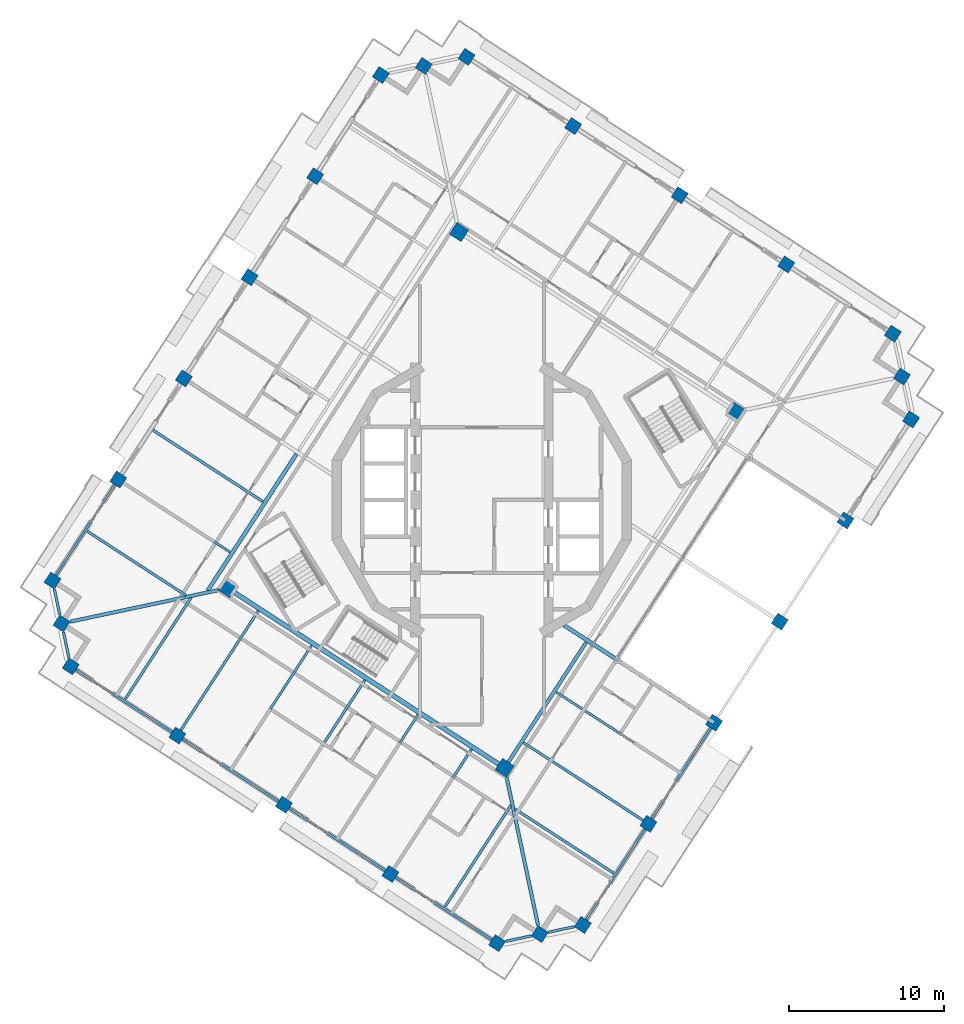
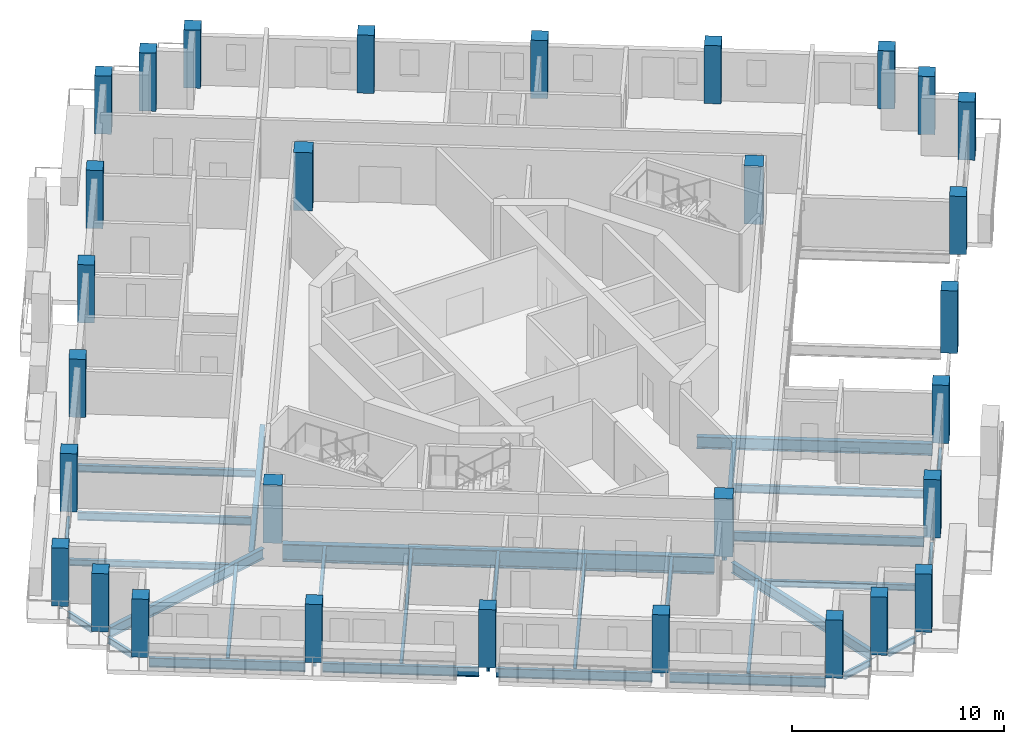
# One storey, part 1 of 17: 30 beams, 30 columns.
"""IFC4 building model written with IfcOpenShell, lengths in metres."""

from ifc_helpers import new_model, si_unit, direction, frame, origin, origin_2d, place, context, subcontext, project, spatial, rectangle, i_section, extrude, material, material_profile, profile_set, type_object, element, save


model = new_model("IFC4")

# Units and contexts
model_context = context("Model", 3, precision=1e-05, world=origin(), true_north=direction((0.0, 1.0)))
body_context = subcontext(model_context, "Body", "Model", "MODEL_VIEW")
ifc_project = project(units=[si_unit("LENGTHUNIT", "METRE"), si_unit("AREAUNIT", "SQUARE_METRE"), si_unit("VOLUMEUNIT", "CUBIC_METRE"), si_unit("PLANEANGLEUNIT", "RADIAN"), si_unit("MASSUNIT", "GRAM", prefix="KILO")], contexts=[model_context])

# Site, building, storey
site_placement = place(None, origin())
site = spatial("IfcSite", under=ifc_project, at=site_placement, CompositionType="ELEMENT")
building_placement = place(site_placement, origin())
building = spatial("IfcBuilding", under=site, at=building_placement, Name="Cantera Rosa Tower", CompositionType="ELEMENT")
storey_placement = place(building_placement, frame((0.0, 0.0, 268.5)))
storey = spatial("IfcBuildingStorey", under=building, at=storey_placement, Name="L60", CompositionType="ELEMENT", Elevation=268.5)

# Columns
ifc_material_1 = material(Name="Concrete C50/60", Category="concrete")
ifc_material_profile_1 = material_profile(ifc_material_1, rectangle(XDim=0.800048828125, YDim=0.800048828125, at=origin_2d()), Name="RC COLUMN RC800X800 C50/60")
ifc_profile_set_1 = profile_set([ifc_material_profile_1], Name="Concrete C50/60")
column_type_1 = type_object("IfcColumnType", Name="RC COLUMN RC800X800 C50/60", PredefinedType="COLUMN", material=ifc_profile_set_1)
for number, where, z_axis, x_axis, name in (
    (1, (26.52587890625, 10.73486328125, 0.0), (0.0, 0.0, 1.0), (0.544639035015, 0.838670567945, 0.0), "C-Z5-01 L60"),
    (2, (19.64892578125, 15.20068359375, 0.0), (0.0, 0.0, 1.0), (0.544639035015, 0.838670567945, 0.0), "C-Z5-02 L60"),
    (3, (12.771728515625, 19.666748046875, 0.0), (0.0, 0.0, 1.0), (0.544639035015, 0.838670567945, 0.0), "C-Z5-03 L60"),
    (4, (5.894775390625, 24.1328125, 0.0), (0.0, 0.0, 1.0), (0.544639035015, 0.838670567945, 0.0), "C-Z5-04 L60"),
    (5, (-0.982421875, 28.598876953125, 0.0), (0.0, 0.0, 1.0), (0.544639035015, 0.838670567945, 0.0), "C-Z5-05 L60"),
    (6, (-3.7490234375, 28.0107421875, 0.0), (0.0, 0.0, 1.0), (0.544639035015, 0.838670567945, 0.0), "C-Z5-06 L60"),
    (7, (-6.515625, 27.4228515625, 0.0), (0.0, 0.0, 1.0), (0.544639035015, 0.838670567945, 0.0), "C-Z5-07 L60"),
    (8, (-10.7529296875, 20.89794921875, 0.0), (0.0, 0.0, 1.0), (0.544639035015, 0.838670567945, 0.0), "C-Z5-08 L60"),
    (9, (-14.990234375, 14.373046875, 0.0), (0.0, 0.0, 1.0), (0.544639035015, 0.838670567945, 0.0), "C-Z5-09 L60"),
    (10, (-19.2275390625, 7.84814453125, 0.0), (0.0, 0.0, 1.0), (0.544639035015, 0.838670567945, 0.0), "C-Z5-10 L60"),
    (11, (-23.46484375, 1.3232421875, 0.0), (0.0, 0.0, 1.0), (0.544639035015, 0.838670567945, 0.0), "C-Z5-11 L60"),
    (12, (-27.7021484375, -5.201416015625, 0.0), (0.0, 0.0, 1.0), (0.544639035015, 0.838670567945, 0.0), "C-Z5-12 L60"),
    (13, (-27.114013671875, -7.968017578125, 0.0), (0.0, 0.0, 1.0), (0.544639035015, 0.838670567945, 0.0), "C-Z5-13 L60"),
    (14, (-26.52587890625, -10.73486328125, 0.0), (0.0, 0.0, 1.0), (0.544639035015, 0.838670567945, 0.0), "C-Z5-14 L60"),
    (15, (-19.64892578125, -15.20068359375, 0.0), (0.0, 0.0, 1.0), (0.544639035015, 0.838670567945, 0.0), "C-Z5-15 L60"),
    (16, (-12.771728515625, -19.666748046875, 0.0), (0.0, 0.0, 1.0), (0.544639035015, 0.838670567945, 0.0), "C-Z5-16 L60"),
    (17, (-5.894775390625, -24.1328125, 0.0), (0.0, 0.0, 1.0), (0.544639035015, 0.838670567945, 0.0), "C-Z5-17 L60"),
    (18, (0.982421875, -28.598876953125, 0.0), (0.0, 0.0, 1.0), (0.544639035015, 0.838670567945, 0.0), "C-Z5-18 L60"),
    (19, (3.7490234375, -28.0107421875, 0.0), (0.0, 0.0, 1.0), (0.544639035015, 0.838670567945, 0.0), "C-Z5-19 L60"),
    (20, (6.515625, -27.4228515625, 0.0), (0.0, 0.0, 1.0), (0.544639035015, 0.838670567945, 0.0), "C-Z5-20 L60"),
    (21, (10.7529296875, -20.89794921875, 0.0), (0.0, 0.0, 1.0), (0.544639035015, 0.838670567945, 0.0), "C-Z5-21 L60"),
    (22, (14.990234375, -14.373046875, 0.0), (0.0, 0.0, 1.0), (0.544639035015, 0.838670567945, 0.0), "C-Z5-22 L60"),
):
    element("IfcColumn", number, at=place(storey_placement, frame(where, z_axis=z_axis, x_axis=x_axis)), inside=storey, type_object=column_type_1, Name=name, PredefinedType="COLUMN", context=body_context, shape_type="SweptSolid", body=[
        extrude(rectangle(XDim=0.800048828125, YDim=0.800048828125, at=origin_2d()), origin(), (0.0, 0.0, 1.0), 3.35009765625),
    ])
column_placement = place(storey_placement, frame((19.2275390625, -7.84814453125, -0.25), z_axis=(0.0, 0.0, 1.0), x_axis=(0.544639035015, 0.838670567945, 0.0)))
element("IfcColumn", 23, at=column_placement, inside=storey, type_object=column_type_1, Name="C-Z5-23 L60", PredefinedType="COLUMN", context=body_context, shape_type="SweptSolid", body=[
    extrude(rectangle(XDim=0.800048828125, YDim=0.800048828125, at=origin_2d()), origin(), (0.0, 0.0, 1.0), 3.60009765625),
])
for number, where, z_axis, x_axis, name in (
    (24, (23.46484375, -1.3232421875, 0.0), (0.0, 0.0, 1.0), (0.544639035015, 0.838670567945, 0.0), "C-Z5-24 L60"),
    (25, (27.7021484375, 5.201416015625, 0.0), (0.0, 0.0, 1.0), (0.544639035015, 0.838670567945, 0.0), "C-Z5-25 L60"),
    (26, (27.114013671875, 7.968017578125, 0.0), (0.0, 0.0, 1.0), (0.544639035015, 0.838670567945, 0.0), "C-Z5-26 L60"),
):
    element("IfcColumn", number, at=place(storey_placement, frame(where, z_axis=z_axis, x_axis=x_axis)), inside=storey, type_object=column_type_1, Name=name, PredefinedType="COLUMN", context=body_context, shape_type="SweptSolid", body=[
        extrude(rectangle(XDim=0.800048828125, YDim=0.800048828125, at=origin_2d()), origin(), (0.0, 0.0, 1.0), 3.35009765625),
    ])
ifc_material_2 = material(Name="Concrete C50/60", Category="concrete")
ifc_material_profile_2 = material_profile(ifc_material_2, rectangle(XDim=0.89990234375, YDim=0.89990234375, at=origin_2d()), Name="RC RING COLUMN RC900X900 C50/60")
ifc_profile_set_2 = profile_set([ifc_material_profile_2], Name="Concrete C50/60")
column_type_2 = type_object("IfcColumnType", Name="RC RING COLUMN RC900X900 C50/60", PredefinedType="COLUMN", material=ifc_profile_set_2)
for number, where, z_axis, x_axis, name in (
    (27, (-1.47021484375, 17.290283203125, 0.0), (0.0, 0.0, 1.0), (0.544639035015, 0.838670567945, 0.0), "CI-Z5-1 L60"),
    (28, (-16.393310546875, -5.689453125, 0.0), (0.0, 0.0, 1.0), (0.544639035015, 0.838670567945, 0.0), "CI-Z5-2 L60"),
    (29, (1.47021484375, -17.290283203125, 0.0), (0.0, 0.0, 1.0), (0.544639035015, 0.838670567945, 0.0), "CI-Z5-3 L60"),
    (30, (16.393310546875, 5.689453125, 0.0), (0.0, 0.0, 1.0), (0.544639035015, 0.838670567945, 0.0), "CI-Z5-4 L60"),
):
    element("IfcColumn", number, at=place(storey_placement, frame(where, z_axis=z_axis, x_axis=x_axis)), inside=storey, type_object=column_type_2, Name=name, PredefinedType="COLUMN", context=body_context, shape_type="SweptSolid", body=[
        extrude(rectangle(XDim=0.89990234375, YDim=0.89990234375, at=origin_2d()), origin(), (0.0, 0.0, 1.0), 3.35009765625),
    ])

# Beams
ifc_material_3 = material(Name="Steel ASTM A992 (Fy 345 MPa)", Category="steel")
ifc_material_profile_3 = material_profile(ifc_material_3, i_section(OverallWidth=0.302001953125, OverallDepth=1.010009765625, WebThickness=0.02099609375, FlangeThickness=0.0400390625, FilletRadius=0.030029296875, at=origin_2d()), Name="W1000X350")
ifc_profile_set_3 = profile_set([ifc_material_profile_3], Name="Steel ASTM A992 (Fy 345 MPa)")
beam_type_1 = type_object("IfcBeamType", Name="STEEL BEAM W1000X350", PredefinedType="BEAM", material=ifc_profile_set_3)
beam_1_placement = place(storey_placement, frame((1.0927734375, -17.045166015625, -0.7548828125), z_axis=(-0.838671580977, 0.54463747508, 0.0), x_axis=(-0.54463747508, -0.838671580977, 0.0)))
element("IfcBeam", 31, at=beam_1_placement, inside=storey, type_object=beam_type_1, Name="RB-Z5-09 L60", PredefinedType="BEAM", context=body_context, shape_type="SweptSolid", body=[
    extrude(i_section(OverallWidth=0.302001953125, OverallDepth=1.010009765625, WebThickness=0.02099609375, FlangeThickness=0.0400390625, FilletRadius=0.030029296875, at=origin_2d()), origin(), (0.0, 0.0, 1.0), 20.39990234375),
])
ifc_material_4 = material(Name="Steel ASTM A992 (Fy 345 MPa)", Category="steel")
ifc_material_profile_4 = material_profile(ifc_material_4, i_section(OverallWidth=0.154052734375, OverallDepth=0.4599609375, WebThickness=0.009033203125, FlangeThickness=0.015380859375, FilletRadius=0.01025390625, at=origin_2d()), Name="W460X68")
ifc_profile_set_4 = profile_set([ifc_material_profile_4], Name="Steel ASTM A992 (Fy 345 MPa)")
beam_type_2 = type_object("IfcBeamType", Name="STEEL BEAM W460X68", PredefinedType="BEAM", material=ifc_profile_set_4)
beam_2_placement = place(storey_placement, frame((-23.12939453125, 1.10546875, -0.47998046875), z_axis=(0.838672777751, -0.544635632198, 0.0), x_axis=(0.544635632198, 0.838672777751, 0.0)))
element("IfcBeam", 32, at=beam_2_placement, inside=storey, type_object=beam_type_2, Name="G-Z5-07 L60", PredefinedType="BEAM", context=body_context, shape_type="SweptSolid", body=[
    extrude(i_section(OverallWidth=0.154052734375, OverallDepth=0.4599609375, WebThickness=0.009033203125, FlangeThickness=0.015380859375, FilletRadius=0.01025390625, at=origin_2d()), origin(), (0.0, 0.0, 1.0), 8.2001953125),
])
ifc_material_5 = material(Name="Steel ASTM A992 (Fy 345 MPa)", Category="steel")
ifc_material_profile_5 = material_profile(ifc_material_5, i_section(OverallWidth=0.166015625, OverallDepth=0.528076171875, WebThickness=0.009765625, FlangeThickness=0.013671875, FilletRadius=0.0126953125, at=origin_2d()), Name="W530X74")
ifc_profile_set_5 = profile_set([ifc_material_profile_5], Name="Steel ASTM A992 (Fy 345 MPa)")
beam_type_3 = type_object("IfcBeamType", Name="STEEL BEAM W530X74", PredefinedType="BEAM", material=ifc_profile_set_5)
beam_3_placement = place(storey_placement, frame((10.41748046875, -20.68017578125, -0.513916015625), z_axis=(-0.838669083999, 0.544641320086, 0.0), x_axis=(-0.544641320086, -0.838669083999, 0.0)))
element("IfcBeam", 33, at=beam_3_placement, inside=storey, type_object=beam_type_3, Name="G-Z5-08 L60", PredefinedType="BEAM", context=body_context, shape_type="SweptSolid", body=[
    extrude(i_section(OverallWidth=0.166015625, OverallDepth=0.528076171875, WebThickness=0.009765625, FlangeThickness=0.013671875, FilletRadius=0.0126953125, at=origin_2d()), origin(), (0.0, 0.0, 1.0), 9.2001953125),
])
beam_4_placement = place(storey_placement, frame((-19.430908203125, -14.865234375, -0.513916015625), z_axis=(0.544634776066, 0.838673333724, 0.0), x_axis=(-0.838673333724, 0.544634776066, 0.0)))
element("IfcBeam", 34, at=beam_4_placement, inside=storey, type_object=beam_type_3, Name="G-Z5-12 L60", PredefinedType="BEAM", context=body_context, shape_type="SweptSolid", body=[
    extrude(i_section(OverallWidth=0.166015625, OverallDepth=0.528076171875, WebThickness=0.009765625, FlangeThickness=0.013671875, FilletRadius=0.0126953125, at=origin_2d()), origin(), (0.0, 0.0, 1.0), 9.19970703125),
])
beam_5_placement = place(storey_placement, frame((-12.553955078125, -19.331298828125, -0.513916015625), z_axis=(0.544641320086, 0.838669083999, 0.0), x_axis=(-0.838669083999, 0.544641320086, 0.0)))
element("IfcBeam", 35, at=beam_5_placement, inside=storey, type_object=beam_type_3, Name="G-Z5-13 L60", PredefinedType="BEAM", context=body_context, shape_type="SweptSolid", body=[
    extrude(i_section(OverallWidth=0.166015625, OverallDepth=0.528076171875, WebThickness=0.009765625, FlangeThickness=0.013671875, FilletRadius=0.0126953125, at=origin_2d()), origin(), (0.0, 0.0, 1.0), 9.2001953125),
])
beam_6_placement = place(storey_placement, frame((-5.6767578125, -23.79736328125, -0.513916015625), z_axis=(0.544622654601, 0.838681205283, 0.0), x_axis=(-0.838681205283, 0.544622654601, 0.0)))
element("IfcBeam", 36, at=beam_6_placement, inside=storey, type_object=beam_type_3, Name="G-Z5-14 L60", PredefinedType="BEAM", context=body_context, shape_type="SweptSolid", body=[
    extrude(i_section(OverallWidth=0.166015625, OverallDepth=0.528076171875, WebThickness=0.009765625, FlangeThickness=0.013671875, FilletRadius=0.0126953125, at=origin_2d()), origin(), (0.0, 0.0, 1.0), 9.199951171875),
])
ifc_material_6 = material(Name="Steel ASTM A992 (Fy 345 MPa)", Category="steel")
ifc_material_profile_6 = material_profile(ifc_material_6, i_section(OverallWidth=0.22802734375, OverallDepth=0.60205078125, WebThickness=0.010498046875, FlangeThickness=0.014892578125, FilletRadius=0.0126953125, at=origin_2d()), Name="W610X101")
ifc_profile_set_6 = profile_set([ifc_material_profile_6], Name="Steel ASTM A992 (Fy 345 MPa)")
beam_type_4 = type_object("IfcBeamType", Name="STEEL BEAM W610X101", PredefinedType="BEAM", material=ifc_profile_set_6)
for number, where, z_axis, x_axis, name in (
    (37, (-26.560791015625, -7.8505859375, -0.551025390625), (0.978148167214, 0.20790902572, 0.0), (-0.20790902572, 0.978148167214, 0.0), "CB-Z5-02 L60"),
    (38, (3.63134765625, -27.45751953125, -0.551025390625), (-0.20790902572, 0.978148167214, 0.0), (-0.978148167214, -0.20790902572, 0.0), "CB-Z5-03 L60"),
):
    element("IfcBeam", number, at=place(storey_placement, frame(where, z_axis=z_axis, x_axis=x_axis)), inside=storey, type_object=beam_type_4, Name=name, PredefinedType="BEAM", context=body_context, shape_type="SweptSolid", body=[
        extrude(i_section(OverallWidth=0.22802734375, OverallDepth=0.60205078125, WebThickness=0.010498046875, FlangeThickness=0.014892578125, FilletRadius=0.0126953125, at=origin_2d()), origin(), (0.0, 0.0, 1.0), 9.758056640625),
    ])
beam_7_placement = place(storey_placement, frame((1.71533203125, -16.912841796875, -0.551025390625), z_axis=(0.54463982867, 0.838670052539, 0.0), x_axis=(-0.838670052539, 0.54463982867, 0.0)))
element("IfcBeam", 39, at=beam_7_placement, inside=storey, type_object=beam_type_4, Name="RB-Z5-04 L60", PredefinedType="BEAM", context=body_context, shape_type="SweptSolid", body=[
    extrude(i_section(OverallWidth=0.22802734375, OverallDepth=0.60205078125, WebThickness=0.010498046875, FlangeThickness=0.014892578125, FilletRadius=0.0126953125, at=origin_2d()), origin(), (0.0, 0.0, 1.0), 9.2099609375),
])
ifc_material_7 = material(Name="Steel ASTM A992 (Fy 345 MPa)", Category="steel")
ifc_material_profile_7 = material_profile(ifc_material_7, i_section(OverallWidth=0.25390625, OverallDepth=0.677978515625, WebThickness=0.01171875, FlangeThickness=0.016357421875, FilletRadius=0.01513671875, at=origin_2d()), Name="W690X125")
ifc_profile_set_7 = profile_set([ifc_material_profile_7], Name="Steel ASTM A992 (Fy 345 MPa)")
beam_type_5 = type_object("IfcBeamType", Name="STEEL BEAM W690X125", PredefinedType="BEAM", material=ifc_profile_set_7)
beam_8_placement = place(storey_placement, frame((14.65478515625, -14.1552734375, -0.589111328125), z_axis=(-0.838661833747, 0.544652484265, 0.0), x_axis=(-0.544652484265, -0.838661833747, 0.0)))
element("IfcBeam", 40, at=beam_8_placement, inside=storey, type_object=beam_type_5, Name="G-Z5-09 L60", PredefinedType="BEAM", context=body_context, shape_type="SweptSolid", body=[
    extrude(i_section(OverallWidth=0.25390625, OverallDepth=0.677978515625, WebThickness=0.01171875, FlangeThickness=0.016357421875, FilletRadius=0.01513671875, at=origin_2d()), origin(), (0.0, 0.0, 1.0), 11.141357421875),
])
beam_9_placement = place(storey_placement, frame((-17.695068359375, -5.857666015625, -0.589111328125), z_axis=(0.544635575355, 0.838672814665, 0.0), x_axis=(-0.838672814665, 0.544635575355, 0.0)))
element("IfcBeam", 41, at=beam_9_placement, inside=storey, type_object=beam_type_5, Name="RB-Z5-01 L60", PredefinedType="BEAM", context=body_context, shape_type="SweptSolid", body=[
    extrude(i_section(OverallWidth=0.25390625, OverallDepth=0.677978515625, WebThickness=0.01171875, FlangeThickness=0.016357421875, FilletRadius=0.01513671875, at=origin_2d()), origin(), (0.0, 0.0, 1.0), 10.510009765625),
])
ifc_material_8 = material(Name="Steel ASTM A992 (Fy 345 MPa)", Category="steel")
ifc_material_profile_8 = material_profile(ifc_material_8, i_section(OverallWidth=0.1708984375, OverallDepth=0.35595703125, WebThickness=0.00732421875, FlangeThickness=0.01171875, FilletRadius=0.010009765625, at=origin_2d()), Name="W360X51")
ifc_profile_set_8 = profile_set([ifc_material_profile_8], Name="Steel ASTM A992 (Fy 345 MPa)")
beam_type_6 = type_object("IfcBeamType", Name="STEEL JOIST W360X51", PredefinedType="JOIST", material=ifc_profile_set_8)
beam_10_placement = place(storey_placement, frame((-25.457763671875, -2.020751953125, -0.427978515625), z_axis=(0.838680170462, -0.54462424815, 0.0), x_axis=(0.54462424815, 0.838680170462, 0.0)))
element("IfcBeam", 42, at=beam_10_placement, inside=storey, type_object=beam_type_6, Name="B-Z5-09 L60", PredefinedType="JOIST", context=body_context, shape_type="SweptSolid", body=[
    extrude(i_section(OverallWidth=0.1708984375, OverallDepth=0.35595703125, WebThickness=0.00732421875, FlangeThickness=0.01171875, FilletRadius=0.010009765625, at=origin_2d()), origin(), (0.0, 0.0, 1.0), 7.590087890625),
])
beam_11_placement = place(storey_placement, frame((8.508544921875, -24.07861328125, -0.427978515625), z_axis=(-0.838670629323, 0.544638940502, 0.0), x_axis=(-0.544638940502, -0.838670629323, 0.0)))
element("IfcBeam", 43, at=beam_11_placement, inside=storey, type_object=beam_type_6, Name="B-Z5-10 L60", PredefinedType="JOIST", context=body_context, shape_type="SweptSolid", body=[
    extrude(i_section(OverallWidth=0.1708984375, OverallDepth=0.35595703125, WebThickness=0.00732421875, FlangeThickness=0.01171875, FilletRadius=0.010009765625, at=origin_2d()), origin(), (0.0, 0.0, 1.0), 7.58984375),
])
for number, where, z_axis, x_axis, name in (
    (44, (-23.005859375, -12.842041015625, -0.427978515625), (0.544641754757, 0.838668801718, 0.0), (-0.838668801718, 0.544641754757, 0.0), "B-Z5-15 L60"),
    (45, (-2.37451171875, -26.239990234375, -0.427978515625), (0.54465605183, 0.838659516851, 0.0), (-0.838659516851, 0.54465605183, 0.0), "B-Z5-18 L60"),
):
    element("IfcBeam", number, at=place(storey_placement, frame(where, z_axis=z_axis, x_axis=x_axis)), inside=storey, type_object=beam_type_6, Name=name, PredefinedType="JOIST", context=body_context, shape_type="SweptSolid", body=[
        extrude(i_section(OverallWidth=0.1708984375, OverallDepth=0.35595703125, WebThickness=0.00732421875, FlangeThickness=0.01171875, FilletRadius=0.010009765625, at=origin_2d()), origin(), (0.0, 0.0, 1.0), 7.800048828125),
    ])
ifc_material_9 = material(Name="Steel ASTM A992 (Fy 345 MPa)", Category="steel")
ifc_material_profile_9 = material_profile(ifc_material_9, i_section(OverallWidth=0.177978515625, OverallDepth=0.406005859375, WebThickness=0.0078125, FlangeThickness=0.0126953125, FilletRadius=0.01025390625, at=origin_2d()), Name="W410X60")
ifc_profile_set_9 = profile_set([ifc_material_profile_9], Name="Steel ASTM A992 (Fy 345 MPa)")
beam_type_7 = type_object("IfcBeamType", Name="STEEL JOIST W410X60", PredefinedType="JOIST", material=ifc_profile_set_9)
beam_12_placement = place(storey_placement, frame((-21.220458984375, 4.504150390625, -0.452880859375), z_axis=(0.838670615657, -0.544638961546, 0.0), x_axis=(0.544638961546, 0.838670615657, 0.0)))
element("IfcBeam", 46, at=beam_12_placement, inside=storey, type_object=beam_type_7, Name="B-Z5-08 L60", PredefinedType="JOIST", context=body_context, shape_type="SweptSolid", body=[
    extrude(i_section(OverallWidth=0.177978515625, OverallDepth=0.406005859375, WebThickness=0.0078125, FlangeThickness=0.0126953125, FilletRadius=0.01025390625, at=origin_2d()), origin(), (0.0, 0.0, 1.0), 8.4501953125),
])
ifc_material_10 = material(Name="Steel ASTM A992 (Fy 345 MPa)", Category="steel")
ifc_material_profile_10 = material_profile(ifc_material_10, i_section(OverallWidth=0.154052734375, OverallDepth=0.4599609375, WebThickness=0.009033203125, FlangeThickness=0.015380859375, FilletRadius=0.01025390625, at=origin_2d()), Name="W460X68")
ifc_profile_set_10 = profile_set([ifc_material_profile_10], Name="Steel ASTM A992 (Fy 345 MPa)")
beam_type_8 = type_object("IfcBeamType", Name="STEEL JOIST W460X68", PredefinedType="JOIST", material=ifc_profile_set_10)
beam_13_placement = place(storey_placement, frame((12.745849609375, -17.5537109375, -0.47998046875), z_axis=(-0.838679048974, 0.544625975154, 0.0), x_axis=(-0.544625975154, -0.838679048974, 0.0)))
element("IfcBeam", 47, at=beam_13_placement, inside=storey, type_object=beam_type_8, Name="B-Z5-11 L60", PredefinedType="JOIST", context=body_context, shape_type="SweptSolid", body=[
    extrude(i_section(OverallWidth=0.154052734375, OverallDepth=0.4599609375, WebThickness=0.009033203125, FlangeThickness=0.015380859375, FilletRadius=0.01025390625, at=origin_2d()), origin(), (0.0, 0.0, 1.0), 9.449951171875),
])
beam_14_placement = place(storey_placement, frame((-16.128662109375, -17.30810546875, -0.47998046875), z_axis=(0.544644146603, 0.838667248419, 0.0), x_axis=(-0.838667248419, 0.544644146603, 0.0)))
element("IfcBeam", 48, at=beam_14_placement, inside=storey, type_object=beam_type_8, Name="B-Z5-16 L60", PredefinedType="JOIST", context=body_context, shape_type="SweptSolid", body=[
    extrude(i_section(OverallWidth=0.154052734375, OverallDepth=0.4599609375, WebThickness=0.009033203125, FlangeThickness=0.015380859375, FilletRadius=0.01025390625, at=origin_2d()), origin(), (0.0, 0.0, 1.0), 9.4501953125),
])
beam_15_placement = place(storey_placement, frame((-9.25146484375, -21.77392578125, -0.47998046875), z_axis=(0.544637775879, 0.838671385636, 0.0), x_axis=(-0.838671385636, 0.544637775879, 0.0)))
element("IfcBeam", 49, at=beam_15_placement, inside=storey, type_object=beam_type_8, Name="B-Z5-17 L60", PredefinedType="JOIST", context=body_context, shape_type="SweptSolid", body=[
    extrude(i_section(OverallWidth=0.154052734375, OverallDepth=0.4599609375, WebThickness=0.009033203125, FlangeThickness=0.015380859375, FilletRadius=0.01025390625, at=origin_2d()), origin(), (0.0, 0.0, 1.0), 9.44970703125),
])
ifc_material_11 = material(Name="Steel ASTM A992 (Fy 345 MPa)", Category="steel")
ifc_material_profile_11 = material_profile(ifc_material_11, i_section(OverallWidth=0.1708984375, OverallDepth=0.35595703125, WebThickness=0.00732421875, FlangeThickness=0.01171875, FilletRadius=0.010009765625, at=origin_2d()), Name="W360X51")
ifc_profile_set_11 = profile_set([ifc_material_profile_11], Name="Steel ASTM A992 (Fy 345 MPa)")
beam_type_9 = type_object("IfcBeamType", Name="STEEL SPANDREL BEAM W360X51", PredefinedType="SPANDREL", material=ifc_profile_set_11)
for number, where, z_axis, x_axis, name in (
    (50, (-27.58447265625, -5.7548828125, -0.427978515625), (0.207888006632, -0.978152634663, 0.0), (0.978152634663, 0.207888006632, 0.0), "EB-Z5-12 L60"),
    (51, (-26.996337890625, -8.521484375, -0.427978515625), (0.207888006632, -0.978152634663, 0.0), (0.978152634663, 0.207888006632, 0.0), "EB-Z5-13 L60"),
):
    element("IfcBeam", number, at=place(storey_placement, frame(where, z_axis=z_axis, x_axis=x_axis)), inside=storey, type_object=beam_type_9, Name=name, PredefinedType="SPANDREL", context=body_context, shape_type="SweptSolid", body=[
        extrude(i_section(OverallWidth=0.1708984375, OverallDepth=0.35595703125, WebThickness=0.00732421875, FlangeThickness=0.01171875, FilletRadius=0.010009765625, at=origin_2d()), origin(), (0.0, 0.0, 1.0), 1.697021484375),
    ])
for number, where, z_axis, x_axis, name in (
    (52, (1.53564453125, -28.481201171875, -0.427978515625), (0.978158850918, 0.20785875582, 0.0), (-0.20785875582, 0.978158850918, 0.0), "EB-Z5-18 L60"),
    (53, (4.30224609375, -27.893310546875, -0.427978515625), (0.978129595322, 0.207996381593, 0.0), (-0.207996381593, 0.978129595322, 0.0), "EB-Z5-19 L60"),
):
    element("IfcBeam", number, at=place(storey_placement, frame(where, z_axis=z_axis, x_axis=x_axis)), inside=storey, type_object=beam_type_9, Name=name, PredefinedType="SPANDREL", context=body_context, shape_type="SweptSolid", body=[
        extrude(i_section(OverallWidth=0.1708984375, OverallDepth=0.35595703125, WebThickness=0.00732421875, FlangeThickness=0.01171875, FilletRadius=0.010009765625, at=origin_2d()), origin(), (0.0, 0.0, 1.0), 1.697265625),
    ])
ifc_material_12 = material(Name="Steel ASTM A992 (Fy 345 MPa)", Category="steel")
ifc_material_profile_12 = material_profile(ifc_material_12, i_section(OverallWidth=0.154052734375, OverallDepth=0.4599609375, WebThickness=0.009033203125, FlangeThickness=0.015380859375, FilletRadius=0.01025390625, at=origin_2d()), Name="W460X68")
ifc_profile_set_12 = profile_set([ifc_material_profile_12], Name="Steel ASTM A992 (Fy 345 MPa)")
beam_type_10 = type_object("IfcBeamType", Name="STEEL SPANDREL BEAM W460X68", PredefinedType="SPANDREL", material=ifc_profile_set_12)
beam_16_placement = place(storey_placement, frame((-23.6826171875, 0.98779296875, -0.47998046875), z_axis=(-0.544667428764, -0.838652128146, 0.0), x_axis=(0.838652128146, -0.544667428764, 0.0)))
element("IfcBeam", 54, at=beam_16_placement, inside=storey, type_object=beam_type_10, Name="EB-Z5-11 L60", PredefinedType="SPANDREL", context=body_context, shape_type="SweptSolid", body=[
    extrude(i_section(OverallWidth=0.154052734375, OverallDepth=0.4599609375, WebThickness=0.009033203125, FlangeThickness=0.015380859375, FilletRadius=0.01025390625, at=origin_2d()), origin(), (0.0, 0.0, 1.0), 6.97998046875),
])
for number, where, z_axis, x_axis, name in (
    (55, (6.7333984375, -27.08740234375, -0.47998046875), (0.544651451949, 0.838662504164, 0.0), (-0.838662504164, 0.544651451949, 0.0), "EB-Z5-20 L60"),
    (56, (10.970703125, -20.5625, -0.47998046875), (0.544651451949, 0.838662504164, 0.0), (-0.838662504164, 0.544651451949, 0.0), "EB-Z5-21 L60"),
):
    element("IfcBeam", number, at=place(storey_placement, frame(where, z_axis=z_axis, x_axis=x_axis)), inside=storey, type_object=beam_type_10, Name=name, PredefinedType="SPANDREL", context=body_context, shape_type="SweptSolid", body=[
        extrude(i_section(OverallWidth=0.154052734375, OverallDepth=0.4599609375, WebThickness=0.009033203125, FlangeThickness=0.015380859375, FilletRadius=0.01025390625, at=origin_2d()), origin(), (0.0, 0.0, 1.0), 6.980224609375),
    ])
ifc_material_13 = material(Name="Steel ASTM A992 (Fy 345 MPa)", Category="steel")
ifc_material_profile_13 = material_profile(ifc_material_13, i_section(OverallWidth=0.166015625, OverallDepth=0.528076171875, WebThickness=0.009765625, FlangeThickness=0.013671875, FilletRadius=0.0126953125, at=origin_2d()), Name="W530X74")
ifc_profile_set_13 = profile_set([ifc_material_profile_13], Name="Steel ASTM A992 (Fy 345 MPa)")
beam_type_11 = type_object("IfcBeamType", Name="STEEL SPANDREL BEAM W530X74", PredefinedType="SPANDREL", material=ifc_profile_set_13)
beam_17_placement = place(storey_placement, frame((-26.1904296875, -10.95263671875, -0.513916015625), z_axis=(0.838669679097, -0.544640403719, 0.0), x_axis=(0.544640403719, 0.838669679097, 0.0)))
element("IfcBeam", 57, at=beam_17_placement, inside=storey, type_object=beam_type_11, Name="EB-Z5-14 L60", PredefinedType="SPANDREL", context=body_context, shape_type="SweptSolid", body=[
    extrude(i_section(OverallWidth=0.166015625, OverallDepth=0.528076171875, WebThickness=0.009765625, FlangeThickness=0.013671875, FilletRadius=0.0126953125, at=origin_2d()), origin(), (0.0, 0.0, 1.0), 7.39990234375),
])
beam_18_placement = place(storey_placement, frame((-19.3134765625, -15.418701171875, -0.513916015625), z_axis=(0.838679465365, -0.544625333946, 0.0), x_axis=(0.544625333946, 0.838679465365, 0.0)))
element("IfcBeam", 58, at=beam_18_placement, inside=storey, type_object=beam_type_11, Name="EB-Z5-15 L60", PredefinedType="SPANDREL", context=body_context, shape_type="SweptSolid", body=[
    extrude(i_section(OverallWidth=0.166015625, OverallDepth=0.528076171875, WebThickness=0.009765625, FlangeThickness=0.013671875, FilletRadius=0.0126953125, at=origin_2d()), origin(), (0.0, 0.0, 1.0), 7.400146484375),
])
beam_19_placement = place(storey_placement, frame((-12.436279296875, -19.884765625, -0.513916015625), z_axis=(0.838669679097, -0.544640403719, 0.0), x_axis=(0.544640403719, 0.838669679097, 0.0)))
element("IfcBeam", 59, at=beam_19_placement, inside=storey, type_object=beam_type_11, Name="EB-Z5-16 L60", PredefinedType="SPANDREL", context=body_context, shape_type="SweptSolid", body=[
    extrude(i_section(OverallWidth=0.166015625, OverallDepth=0.528076171875, WebThickness=0.009765625, FlangeThickness=0.013671875, FilletRadius=0.0126953125, at=origin_2d()), origin(), (0.0, 0.0, 1.0), 7.39990234375),
])
beam_20_placement = place(storey_placement, frame((-5.559326171875, -24.350830078125, -0.513916015625), z_axis=(0.838679465365, -0.544625333946, 0.0), x_axis=(0.544625333946, 0.838679465365, 0.0)))
element("IfcBeam", 60, at=beam_20_placement, inside=storey, type_object=beam_type_11, Name="EB-Z5-17 L60", PredefinedType="SPANDREL", context=body_context, shape_type="SweptSolid", body=[
    extrude(i_section(OverallWidth=0.166015625, OverallDepth=0.528076171875, WebThickness=0.009765625, FlangeThickness=0.013671875, FilletRadius=0.0126953125, at=origin_2d()), origin(), (0.0, 0.0, 1.0), 7.400146484375),
])

save(model, "model.ifc")
